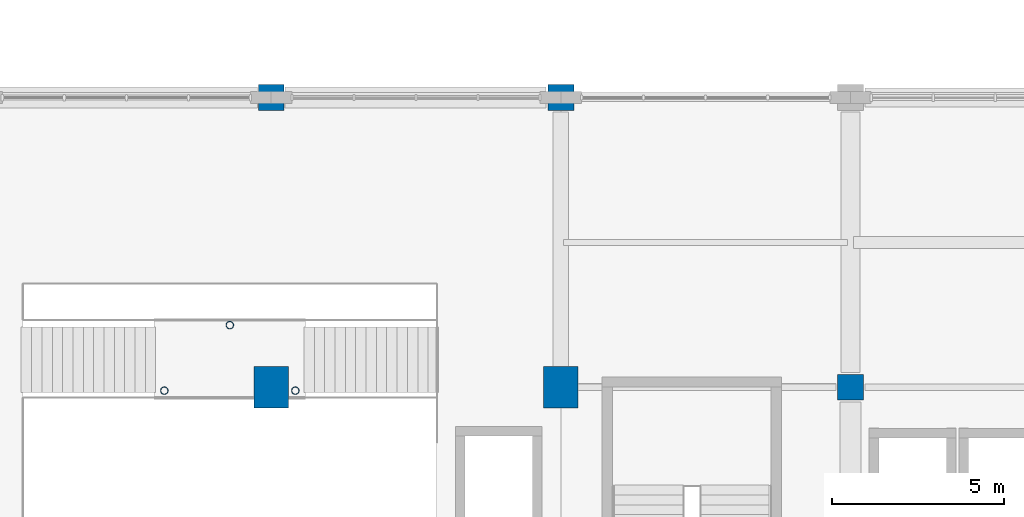
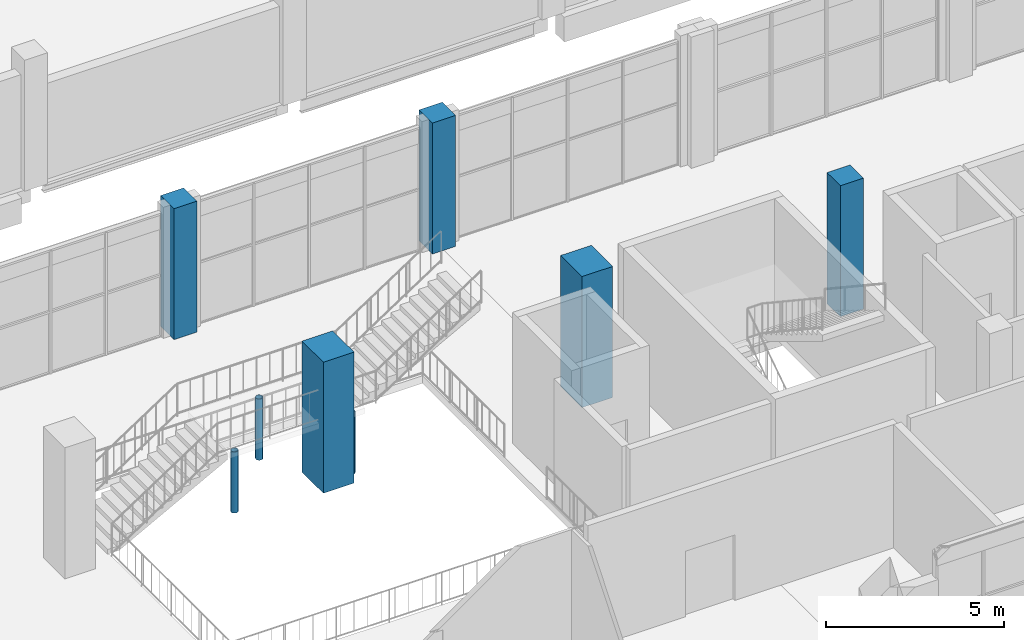
# One storey, part 4 of 75: 8 columns.
"""IFC4 building model written with IfcOpenShell, lengths in metres."""

from ifc_helpers import new_model, si_unit, derived_unit, direction, frame, origin, origin_2d, place, context, subcontext, project, spatial, rectangle, hollow_circle, extrude, material, material_profile, profile_set, type_object, element, save


model = new_model("IFC4")

# Units and contexts
model_context = context("Model", 3, precision=1e-05, world=origin(), true_north=direction((0.0, 1.0)))
body_context = subcontext(model_context, "Body", "Model", "MODEL_VIEW")
ifc_project = project(units=[si_unit("LENGTHUNIT", "METRE"), si_unit("AREAUNIT", "SQUARE_METRE"), si_unit("VOLUMEUNIT", "CUBIC_METRE"), si_unit("PLANEANGLEUNIT", "RADIAN"), si_unit("MASSUNIT", "GRAM", prefix="KILO"), derived_unit("THERMALTRANSMITTANCEUNIT", [(si_unit("POWERUNIT", "WATT"), 1), (si_unit("LENGTHUNIT", "METRE"), -2), (si_unit("THERMODYNAMICTEMPERATUREUNIT", "KELVIN"), -1)])], contexts=[model_context])

# Site, building, storey
site_placement = place(None, origin())
site = spatial("IfcSite", under=ifc_project, at=site_placement, CompositionType="ELEMENT")
building_placement = place(site_placement, origin())
building = spatial("IfcBuilding", under=site, at=building_placement, Name="Barrovel Congress Hotel", CompositionType="ELEMENT")
storey_placement = place(building_placement, frame((0.0, 0.0, 5.39990234375)))
storey = spatial("IfcBuildingStorey", under=building, at=storey_placement, Name="L01", CompositionType="ELEMENT", Elevation=5.39990234375)

# Columns
ifc_material_1 = material(Name="Concrete C50", Category="concrete")
ifc_material_profile_1 = material_profile(ifc_material_1, rectangle(XDim=1.0, YDim=1.199951171875, at=origin_2d()), Name="RC1000x1200")
ifc_profile_set_1 = profile_set([ifc_material_profile_1], Name="Concrete C50")
column_type_1 = type_object("IfcColumnType", Name="COL-RC1000x1200", PredefinedType="COLUMN", material=ifc_profile_set_1)
for number, where, z_axis, x_axis, name in (
    (1, (67.199951171875, 21.0, 0.0), (0.0, 0.0, 1.0), (1.0, 0.0, 0.0), "COL:L01:67.2:21.0"),
    (2, (75.60009765625, 21.0, 0.0), (0.0, 0.0, 1.0), (1.0, 0.0, 0.0), "COL:L01:75.6:21.0"),
):
    element("IfcColumn", number, at=place(storey_placement, frame(where, z_axis=z_axis, x_axis=x_axis)), inside=storey, type_object=column_type_1, Name=name, PredefinedType="COLUMN", context=body_context, shape_type="SweptSolid", body=[
        extrude(rectangle(XDim=1.0, YDim=1.199951171875, at=origin_2d()), origin(), (0.0, 0.0, 1.0), 4.5),
    ])
ifc_material_2 = material(Name="Concrete C40", Category="concrete")
ifc_material_profile_2 = material_profile(ifc_material_2, rectangle(XDim=0.75, YDim=0.75, at=origin_2d()), Name="RC750x750")
ifc_profile_set_2 = profile_set([ifc_material_profile_2], Name="Concrete C40")
column_type_2 = type_object("IfcColumnType", Name="COL-RC750x750", PredefinedType="COLUMN", material=ifc_profile_set_2)
for number, where, z_axis, x_axis, name in (
    (3, (67.199951171875, 29.39990234375, 0.0), (0.0, 0.0, 1.0), (1.0, 0.0, 0.0), "COL:L01:67.2:29.4"),
    (4, (75.60009765625, 29.39990234375, 0.0), (0.0, 0.0, 1.0), (1.0, 0.0, 0.0), "COL:L01:75.6:29.4"),
    (5, (84.0, 21.0, 0.0), (0.0, 0.0, 1.0), (1.0, 0.0, 0.0), "COL:L01:84.0:21.0"),
):
    element("IfcColumn", number, at=place(storey_placement, frame(where, z_axis=z_axis, x_axis=x_axis)), inside=storey, type_object=column_type_2, Name=name, PredefinedType="COLUMN", context=body_context, shape_type="SweptSolid", body=[
        extrude(rectangle(XDim=0.75, YDim=0.75, at=origin_2d()), origin(), (0.0, 0.0, 1.0), 4.5),
    ])
ifc_material_3 = material(Name="Steel ASTM A500 Grade C", Category="steel")
ifc_material_profile_3 = material_profile(ifc_material_3, hollow_circle(Radius=0.109619140625, WallThickness=0.0087890625, at=origin_2d()), Name="CHS219.1x9.5")
ifc_profile_set_3 = profile_set([ifc_material_profile_3], Name="Steel ASTM A500 Grade C")
column_type_3 = type_object("IfcColumnType", Name="SCOL-CHS219.1x9.5", PredefinedType="COLUMN", material=ifc_profile_set_3)
for number, where, z_axis, x_axis, name in (
    (6, (64.10009765625, 20.89990234375, 0.0), (0.0, 0.0, 1.0), (1.0, 0.0, 0.0), "COL:ATR-LDG2:L01:1"),
    (7, (67.89990234375, 20.89990234375, 0.0), (0.0, 0.0, 1.0), (1.0, 0.0, 0.0), "COL:ATR-LDG2:L01:2"),
    (8, (66.0, 22.800048828125, 0.0), (0.0, 0.0, 1.0), (1.0, 0.0, 0.0), "COL:ATR-LDG2:L01:3"),
):
    element("IfcColumn", number, at=place(storey_placement, frame(where, z_axis=z_axis, x_axis=x_axis)), inside=storey, type_object=column_type_3, Name=name, PredefinedType="COLUMN", context=body_context, shape_type="SweptSolid", body=[
        extrude(hollow_circle(Radius=0.109619140625, WallThickness=0.0087890625, at=origin_2d()), origin(), (0.0, 0.0, 1.0), 2.10009765625),
    ])

save(model, "model.ifc")
